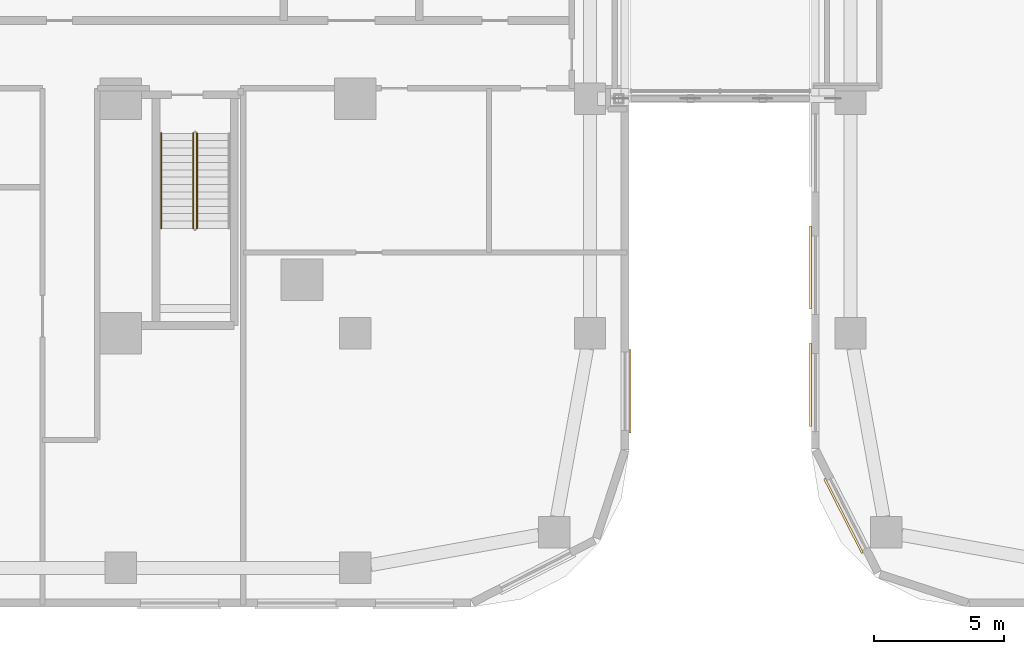
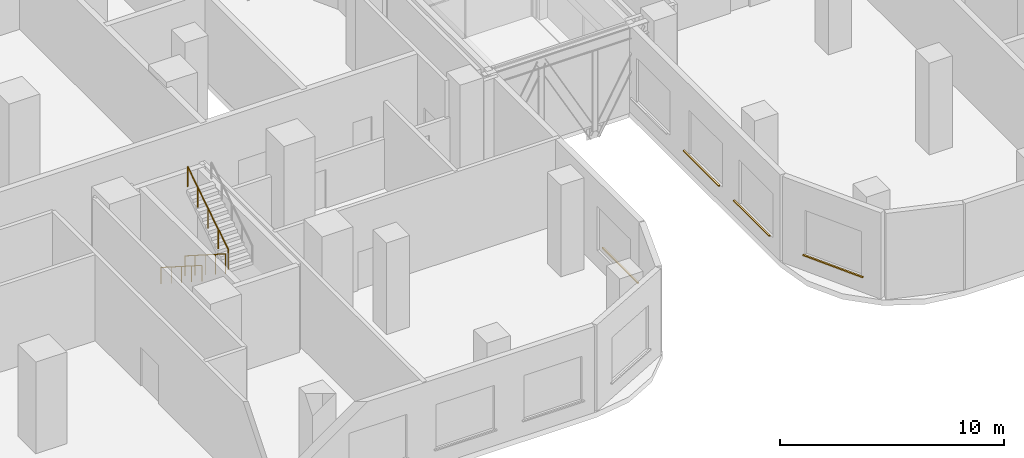
# One storey, part 29 of 33: 4 coverings, 3 railings.
"""IFC4 building model written with IfcOpenShell, lengths in metres."""

from ifc_helpers import new_model, si_unit, direction, frame, origin, origin_2d, place, context, subcontext, project, spatial, rectangle, circle, extrude, material, layer, layer_set, type_object, element, save


model = new_model("IFC4")

# Units and contexts
model_context = context("Model", 3, precision=1e-05, world=origin(), true_north=direction((0.0, 1.0)))
body_context = subcontext(model_context, "Body", "Model", "MODEL_VIEW")
ifc_project = project(units=[si_unit("LENGTHUNIT", "METRE"), si_unit("AREAUNIT", "SQUARE_METRE"), si_unit("VOLUMEUNIT", "CUBIC_METRE"), si_unit("PLANEANGLEUNIT", "RADIAN"), si_unit("MASSUNIT", "GRAM", prefix="KILO")], contexts=[model_context])

# Site, building, storey
site_placement = place(None, origin())
site = spatial("IfcSite", under=ifc_project, at=site_placement, CompositionType="ELEMENT")
building_placement = place(site_placement, origin())
building = spatial("IfcBuilding", under=site, at=building_placement, Name="Ogive Portal Towers", CompositionType="ELEMENT")
storey_placement = place(building_placement, frame((0.0, 0.0, 28.5)))
storey = spatial("IfcBuildingStorey", under=building, at=storey_placement, Name="L05", CompositionType="ELEMENT", Elevation=28.5)

# Railings
ifc_material_1 = material(Name="Stainless steel balustrade", Category="steel")
railing_type_1 = type_object("IfcRailingType", Name="INT-GUARD", PredefinedType="GUARDRAIL", material=ifc_material_1)
railing_1_placement = place(storey_placement, frame((88.280029296875, 29.169921875, 0.178466796875)))
element("IfcRailing", 1, at=railing_1_placement, inside=storey, type_object=railing_type_1, Name="L05 ST-A4 stair guard 1", PredefinedType="GUARDRAIL", context=body_context, shape_type="SweptSolid", body=[
    extrude(circle(Radius=0.02392578125, at=origin_2d()), frame((0.0, 0.0, 1.076171875), z_axis=(0.0, -0.843111507901, 0.53773877045), x_axis=(1.0, 0.0, 0.0)), (0.0, 0.0, 1.0), 4.317138671875),
    extrude(circle(Radius=0.02099609375, at=origin_2d()), origin(), (0.0, 0.0, 1.0), 1.052001953125),
    extrude(circle(Radius=0.02099609375, at=origin_2d()), frame((0.0, -0.909912109375, 0.580322265625)), (0.0, 0.0, 1.0), 1.052001953125),
    extrude(circle(Radius=0.02099609375, at=origin_2d()), frame((0.0, -1.81982421875, 1.16064453125)), (0.0, 0.0, 1.0), 1.052001953125),
    extrude(circle(Radius=0.02099609375, at=origin_2d()), frame((0.0, -2.72998046875, 1.7412109375)), (0.0, 0.0, 1.0), 1.052001953125),
    extrude(circle(Radius=0.02099609375, at=origin_2d()), frame((0.0, -3.639892578125, 2.321533203125)), (0.0, 0.0, 1.0), 1.052001953125),
])
railing_2_placement = place(storey_placement, frame((88.419921875, 25.530029296875, 2.678466796875)))
element("IfcRailing", 2, at=railing_2_placement, inside=storey, type_object=railing_type_1, Name="L05 ST-A4 stair guard 3", PredefinedType="GUARDRAIL", context=body_context, shape_type="SweptSolid", body=[
    extrude(circle(Radius=0.02392578125, at=origin_2d()), frame((0.0, 0.0, 1.076171875), z_axis=(0.0, 0.843111507901, 0.53773877045), x_axis=(-1.0, 0.0, 0.0)), (0.0, 0.0, 1.0), 4.317138671875),
    extrude(circle(Radius=0.02099609375, at=origin_2d()), origin(), (0.0, 0.0, 1.0), 1.052001953125),
    extrude(circle(Radius=0.02099609375, at=origin_2d()), frame((0.0, 0.909912109375, 0.580322265625)), (0.0, 0.0, 1.0), 1.052001953125),
    extrude(circle(Radius=0.02099609375, at=origin_2d()), frame((0.0, 1.81982421875, 1.16064453125)), (0.0, 0.0, 1.0), 1.052001953125),
    extrude(circle(Radius=0.02099609375, at=origin_2d()), frame((0.0, 2.72998046875, 1.7412109375)), (0.0, 0.0, 1.0), 1.052001953125),
    extrude(circle(Radius=0.02099609375, at=origin_2d()), frame((0.0, 3.639892578125, 2.321533203125)), (0.0, 0.0, 1.0), 1.052001953125),
])
ifc_material_2 = material(Name="Stainless steel handrail", Category="steel")
railing_type_2 = type_object("IfcRailingType", Name="INT-HANDRAIL", PredefinedType="HANDRAIL", material=ifc_material_2)
railing_3_placement = place(storey_placement, frame((87.050048828125, 29.169921875, 0.178466796875)))
element("IfcRailing", 3, at=railing_3_placement, inside=storey, type_object=railing_type_2, Name="L05 ST-A4 stair handrail 1", PredefinedType="HANDRAIL", context=body_context, shape_type="SweptSolid", body=[
    extrude(circle(Radius=0.02392578125, at=origin_2d()), frame((0.0, 0.0, 0.8759765625), z_axis=(0.0, -0.843111507901, 0.53773877045), x_axis=(1.0, 0.0, 0.0)), (0.0, 0.0, 1.0), 4.317138671875),
    extrude(circle(Radius=0.02099609375, at=origin_2d()), origin(), (0.0, 0.0, 1.0), 0.851806640625),
    extrude(circle(Radius=0.02099609375, at=origin_2d()), frame((0.0, -0.909912109375, 0.580322265625)), (0.0, 0.0, 1.0), 0.851806640625),
    extrude(circle(Radius=0.02099609375, at=origin_2d()), frame((0.0, -1.81982421875, 1.16064453125)), (0.0, 0.0, 1.0), 0.851806640625),
    extrude(circle(Radius=0.02099609375, at=origin_2d()), frame((0.0, -2.72998046875, 1.7412109375)), (0.0, 0.0, 1.0), 0.851806640625),
    extrude(circle(Radius=0.02099609375, at=origin_2d()), frame((0.0, -3.639892578125, 2.321533203125)), (0.0, 0.0, 1.0), 0.851806640625),
])

# Coverings
ifc_material_3 = material(Name="Limestone cladding on lightweight block wall", Category="masonry")
ifc_layer = layer(ifc_material_3, 0.080078125)
ifc_layer_set = layer_set([ifc_layer], Name="STONE SILL 80")
covering_type = type_object("IfcCoveringType", Name="STONE SILL 80", PredefinedType="CLADDING", material=ifc_layer_set)
for number, where, z_axis, x_axis, name in (
    (4, (105.0400390625, 19.273681640625, 0.840087890625), (0.0, 0.0, 1.0), (0.0, 1.0, 0.0), "Stone sill"),
    (5, (113.233642578125, 14.49072265625, 0.840087890625), (0.0, 0.0, 1.0), (0.45399049974, -0.891006524188, 0.0), "Stone sill"),
    (6, (111.9599609375, 24.023681640625, 0.840087890625), (0.0, 0.0, 1.0), (0.0, -1.0, 0.0), "Stone sill"),
    (7, (111.9599609375, 19.523681640625, 0.840087890625), (0.0, 0.0, 1.0), (0.0, -1.0, 0.0), "Stone sill"),
):
    element("IfcCovering", number, at=place(storey_placement, frame(where, z_axis=z_axis, x_axis=x_axis)), inside=storey, type_object=covering_type, Name=name, PredefinedType="CLADDING", context=body_context, shape_type="SweptSolid", body=[
        extrude(rectangle(XDim=3.199951171875, YDim=0.080078125, at=origin_2d()), origin(), (0.0, 0.0, 1.0), 0.06005859375),
    ])

save(model, "model.ifc")
